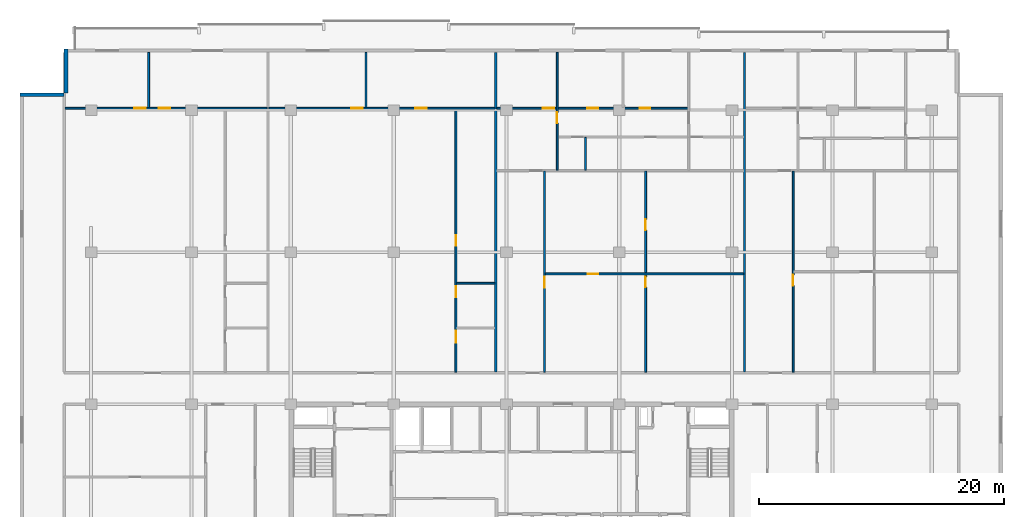
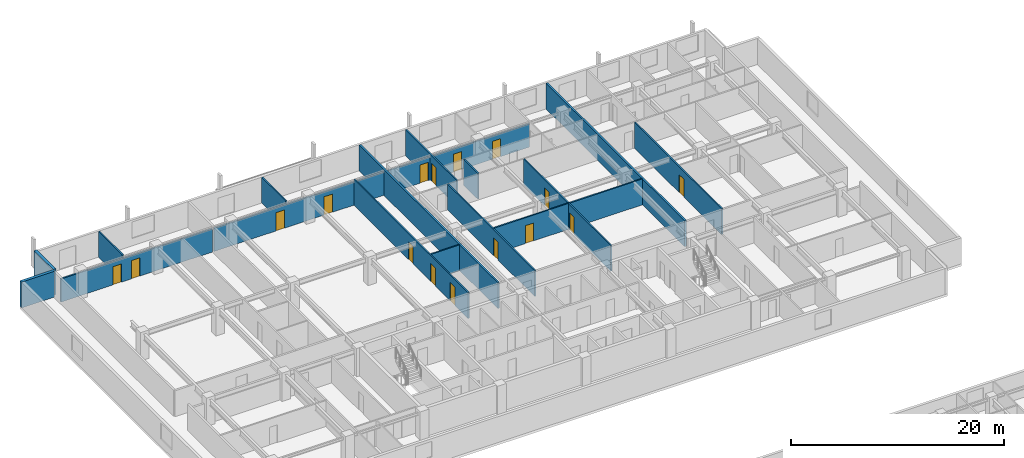
# One storey, part 14 of 22: 17 walls, 16 doors, 16 openings.
"""IFC4 building model written with IfcOpenShell, lengths in metres."""

from ifc_helpers import new_model, si_unit, direction, frame, frame_2d, origin, place, context, subcontext, project, spatial, rectangle, extrude, material, layer, layer_set, type_object, element, fill, save


model = new_model("IFC4")

# Units and contexts
model_context = context("Model", 3, precision=1e-05, world=origin(), true_north=direction((0.0, 1.0)))
body_context = subcontext(model_context, "Body", "Model", "MODEL_VIEW")
ifc_project = project(units=[si_unit("LENGTHUNIT", "METRE"), si_unit("AREAUNIT", "SQUARE_METRE"), si_unit("VOLUMEUNIT", "CUBIC_METRE"), si_unit("PLANEANGLEUNIT", "RADIAN"), si_unit("MASSUNIT", "GRAM", prefix="KILO")], contexts=[model_context])

# Site, building, storey
site_placement = place(None, origin())
site = spatial("IfcSite", under=ifc_project, at=site_placement, CompositionType="ELEMENT")
building_placement = place(site_placement, origin())
building = spatial("IfcBuilding", under=site, at=building_placement, Name="Korimba Cascade Residences", CompositionType="ELEMENT")
storey_placement = place(building_placement, frame((0.0, 0.0, 129.550048828125)))
storey = spatial("IfcBuildingStorey", under=building, at=storey_placement, Name="L37", CompositionType="ELEMENT", Elevation=129.550048828125)

# Walls
ifc_material_1 = material(Name="Precast concrete C40/50", Category="concrete")
ifc_layer_1 = layer(ifc_material_1, 0.300048828125)
ifc_layer_set_1 = layer_set([ifc_layer_1], Name="Precast concrete C40/50")
wall_type_1 = type_object("IfcWallType", Name="EW-STONE-300", PredefinedType="STANDARD", material=ifc_layer_set_1)
wall_1_placement = place(storey_placement, frame((57.75, 96.199951171875, 0.0), z_axis=(0.0, 0.0, 1.0), x_axis=(0.0, -1.0, 0.0)))
element("IfcWall", 1, at=wall_1_placement, inside=storey, type_object=wall_type_1, Name="L37 T1 Perimeter Stone Wall E07", PredefinedType="STANDARD", context=body_context, shape_type="SweptSolid", body=[
    extrude(rectangle(XDim=3.599853515625, YDim=0.300048828125, at=frame_2d((1.7998046875, 0.0))), origin(), (0.0, 0.0, 1.0), 2.969970703125),
])
wall_2_placement = place(storey_placement, frame((57.60009765625, 92.449951171875, 0.0), z_axis=(0.0, 0.0, 1.0), x_axis=(-1.0, 0.0, 0.0)))
element("IfcWall", 2, at=wall_2_placement, inside=storey, type_object=wall_type_1, Name="L37 T1 Perimeter Stone Wall E08", PredefinedType="STANDARD", context=body_context, shape_type="SweptSolid", body=[
    extrude(rectangle(XDim=3.60009765625, YDim=0.300048828125, at=frame_2d((1.800048828125, 0.0))), origin(), (0.0, 0.0, 1.0), 2.969970703125),
])
ifc_layer_2 = layer(ifc_material_1, 0.199951171875)
ifc_layer_set_2 = layer_set([ifc_layer_2], Name="Precast concrete C40/50")
wall_type_2 = type_object("IfcWallType", Name="WAL-IT-200", PredefinedType="PARTITIONING", material=ifc_layer_set_2)
for number, where, z_axis, x_axis, name in (
    (3, (92.83740234375, 69.830078125, 0.0), (0.0, 0.0, 1.0), (0.0, 1.0, 0.0), "L37 Partition Wall WAL-L37-T1-DEM-2"),
    (4, (113.125, 69.830078125, 0.0), (0.0, 0.0, 1.0), (0.0, 1.0, 0.0), "L37 Partition Wall WAL-L37-T1-DEM-3"),
):
    element("IfcWall", number, at=place(storey_placement, frame(where, z_axis=z_axis, x_axis=x_axis)), inside=storey, type_object=wall_type_2, Name=name, PredefinedType="PARTITIONING", context=body_context, shape_type="SweptSolid", body=[
        extrude(rectangle(XDim=26.06982421875, YDim=0.199951171875, at=frame_2d((13.034912109375, 0.0))), origin(), (0.0, 0.0, 1.0), 2.969970703125),
    ])
ifc_material_2 = material(Name="Insulated Acoustic Stud Partition", Category="gypsum")
ifc_layer_3 = layer(ifc_material_2, 0.14990234375)
ifc_layer_set_3 = layer_set([ifc_layer_3], Name="Insulated Acoustic Stud Partition")
wall_type_3 = type_object("IfcWallType", Name="WAL-PART-150", PredefinedType="PARTITIONING", material=ifc_layer_set_3)
wall_3_placement = place(storey_placement, frame((64.498779296875, 91.429931640625, 0.0), z_axis=(0.0, 0.0, 1.0), x_axis=(0.0, 1.0, 0.0)))
element("IfcWall", 5, at=wall_3_placement, inside=storey, type_object=wall_type_3, Name="L37 Partition Wall WAL-L37-T1-U01-OUTV", PredefinedType="PARTITIONING", context=body_context, shape_type="SweptSolid", body=[
    extrude(rectangle(XDim=4.469970703125, YDim=0.14990234375, at=frame_2d((2.23486328125, 0.0))), origin(), (0.0, 0.0, 1.0), 2.969970703125),
])

# Wall, openings, doors
wall_4_placement = place(storey_placement, frame((57.679931640625, 91.35009765625, 0.0), z_axis=(0.0, 0.0, 1.0), x_axis=(1.0, 0.0, 0.0)))
wall_4 = element("IfcWall", 6, at=wall_4_placement, inside=storey, type_object=wall_type_3, Name="L37 Partition Wall WAL-L37-T1-U01-HZ", PredefinedType="PARTITIONING", context=body_context, shape_type="SweptSolid", body=[
    extrude(rectangle(XDim=16.4775390625, YDim=0.14990234375, at=frame_2d((8.23876953125, 0.0))), origin(), (0.0, 0.0, 1.0), 2.663330078125),
])
opening_1_placement = place(wall_4_placement, frame((5.628662109375, 0.0, 0.0)))
opening_1 = element("IfcOpeningElement", 7, at=opening_1_placement, cuts=wall_4, Name="Opening D-IN0", PredefinedType="OPENING", context=body_context, shape_type="SweptSolid", body=[
    extrude(rectangle(XDim=0.93994140625, YDim=2.10009765625, at=frame_2d((0.469970703125, 1.050048828125))), frame((0.0, 0.0849609375, 0.0), z_axis=(0.0, -1.0, 0.0), x_axis=(1.0, 0.0, 0.0)), (0.0, 0.0, 1.0), 0.169921875),
])
opening_2_placement = place(wall_4_placement, frame((7.64453125, 0.0, 0.0)))
opening_2 = element("IfcOpeningElement", 8, at=opening_2_placement, cuts=wall_4, Name="Opening D-IN0", PredefinedType="OPENING", context=body_context, shape_type="SweptSolid", body=[
    extrude(rectangle(XDim=0.93994140625, YDim=2.10009765625, at=frame_2d((0.469970703125, 1.050048828125))), frame((0.0, 0.0849609375, 0.0), z_axis=(0.0, -1.0, 0.0), x_axis=(1.0, 0.0, 0.0)), (0.0, 0.0, 1.0), 0.169921875),
])
ifc_material_3 = material(Name="Acoustic Timber Living Archway Door", Category="wood")
door_type_1 = type_object("IfcDoorType", Name="DR-INT-950", OperationType="NOTDEFINED", PredefinedType="DOOR", material=ifc_material_3)
door_1_placement = place(opening_1_placement, origin())
door_1 = element("IfcDoor", 9, at=door_1_placement, inside=storey, type_object=door_type_1, Name="L37-T1-U01 Executive Co-Working Office Door", OperationType="SINGLE_SWING_LEFT", OverallHeight=2.10009765625, OverallWidth=0.93994140625, PredefinedType="DOOR", context=body_context, shape_type="SweptSolid", body=[
    extrude(rectangle(XDim=0.93994140625, YDim=2.10009765625, at=frame_2d((0.469970703125, 1.050048828125))), frame((0.0, 0.02490234375, 0.0), z_axis=(0.0, -1.0, 0.0), x_axis=(1.0, 0.0, 0.0)), (0.0, 0.0, 1.0), 0.050048828125),
])
fill(opening_1, door_1)
door_2_placement = place(opening_2_placement, origin())
door_2 = element("IfcDoor", 10, at=door_2_placement, inside=storey, type_object=door_type_1, Name="L37-T1-U01 Focus Workstation Office Door", OperationType="SINGLE_SWING_RIGHT", OverallHeight=2.10009765625, OverallWidth=0.93994140625, PredefinedType="DOOR", context=body_context, shape_type="SweptSolid", body=[
    extrude(rectangle(XDim=0.93994140625, YDim=2.10009765625, at=frame_2d((0.469970703125, 1.050048828125))), frame((0.0, 0.02490234375, 0.0), z_axis=(0.0, -1.0, 0.0), x_axis=(1.0, 0.0, 0.0)), (0.0, 0.0, 1.0), 0.050048828125),
])
fill(opening_2, door_2)

# Wall
wall_5_placement = place(storey_placement, frame((89.62744140625, 77.070068359375, 0.0), z_axis=(0.0, 0.0, 1.0), x_axis=(1.0, 0.0, 0.0)))
element("IfcWall", 11, at=wall_5_placement, inside=storey, type_object=wall_type_3, Name="L37 Partition Wall WAL-L37-T1-U02-WCH2", PredefinedType="PARTITIONING", context=body_context, shape_type="SweptSolid", body=[
    extrude(rectangle(XDim=3.130126953125, YDim=0.14990234375, at=frame_2d((1.56494140625, 0.0))), origin(), (0.0, 0.0, 1.0), 2.969970703125),
])

# Wall, openings, doors
wall_6_placement = place(storey_placement, frame((89.5673828125, 69.81005859375, 0.0), z_axis=(0.0, 0.0, 1.0), x_axis=(0.0, 1.0, 0.0)))
wall_6 = element("IfcWall", 12, at=wall_6_placement, inside=storey, type_object=wall_type_3, Name="L37 Partition Wall WAL-L37-T1-U02-WCV", PredefinedType="PARTITIONING", context=body_context, shape_type="SweptSolid", body=[
    extrude(rectangle(XDim=21.47998046875, YDim=0.14990234375, at=frame_2d((10.739990234375, 0.0))), origin(), (0.0, 0.0, 1.0), 2.969970703125),
])
opening_3_placement = place(wall_6_placement, frame((2.406005859375, 0.0, 0.0)))
opening_3 = element("IfcOpeningElement", 13, at=opening_3_placement, cuts=wall_6, Name="Opening D-AC1", PredefinedType="OPENING", context=body_context, shape_type="SweptSolid", body=[
    extrude(rectangle(XDim=0.9599609375, YDim=2.10009765625, at=frame_2d((0.47998046875, 1.050048828125))), frame((0.0, 0.0849609375, 0.0), z_axis=(0.0, -1.0, 0.0), x_axis=(1.0, 0.0, 0.0)), (0.0, 0.0, 1.0), 0.169921875),
])
opening_4_placement = place(wall_6_placement, frame((6.132568359375, 0.0, 0.0)))
opening_4 = element("IfcOpeningElement", 14, at=opening_4_placement, cuts=wall_6, Name="Opening D-IN2", PredefinedType="OPENING", context=body_context, shape_type="SweptSolid", body=[
    extrude(rectangle(XDim=0.8798828125, YDim=2.06005859375, at=frame_2d((0.43994140625, 1.030029296875))), frame((0.0, 0.0849609375, 0.0), z_axis=(0.0, -1.0, 0.0), x_axis=(1.0, 0.0, 0.0)), (0.0, 0.0, 1.0), 0.169921875),
])
opening_5_placement = place(wall_6_placement, frame((10.320068359375, 0.0, 0.0)))
opening_5 = element("IfcOpeningElement", 15, at=opening_5_placement, cuts=wall_6, Name="Opening D-BT1", PredefinedType="OPENING", context=body_context, shape_type="SweptSolid", body=[
    extrude(rectangle(XDim=0.840087890625, YDim=2.0400390625, at=frame_2d((0.419921875, 1.02001953125))), frame((0.0, 0.0849609375, 0.0), z_axis=(0.0, -1.0, 0.0), x_axis=(1.0, 0.0, 0.0)), (0.0, 0.0, 1.0), 0.169921875),
])
ifc_material_4 = material(Name="Accessible Acoustic Timber WC Door", Category="wood")
door_type_2 = type_object("IfcDoorType", Name="DR-ACC-950", OperationType="NOTDEFINED", PredefinedType="DOOR", material=ifc_material_4)
door_3_placement = place(opening_3_placement, origin())
door_3 = element("IfcDoor", 16, at=door_3_placement, inside=storey, type_object=door_type_2, Name="L37-T1-U02 Accessible WC Door", OperationType="SINGLE_SWING_LEFT", OverallHeight=2.10009765625, OverallWidth=0.9599609375, PredefinedType="DOOR", context=body_context, shape_type="SweptSolid", body=[
    extrude(rectangle(XDim=0.9599609375, YDim=2.10009765625, at=frame_2d((0.47998046875, 1.050048828125))), frame((0.0, 0.02490234375, 0.0), z_axis=(0.0, -1.0, 0.0), x_axis=(1.0, 0.0, 0.0)), (0.0, 0.0, 1.0), 0.050048828125),
])
fill(opening_3, door_3)
ifc_material_5 = material(Name="Moisture-Resistant Bathroom Timber Door", Category="wood")
door_type_3 = type_object("IfcDoorType", Name="DR-INT-850", OperationType="NOTDEFINED", PredefinedType="DOOR", material=ifc_material_5)
door_4_placement = place(opening_5_placement, origin())
door_4 = element("IfcDoor", 17, at=door_4_placement, inside=storey, type_object=door_type_3, Name="L37-T1-U02 Suite Store Door", OperationType="SINGLE_SWING_LEFT", OverallHeight=2.0400390625, OverallWidth=0.840087890625, PredefinedType="DOOR", context=body_context, shape_type="SweptSolid", body=[
    extrude(rectangle(XDim=0.840087890625, YDim=2.0400390625, at=frame_2d((0.419921875, 1.02001953125))), frame((0.0, 0.02490234375, 0.0), z_axis=(0.0, -1.0, 0.0), x_axis=(1.0, 0.0, 0.0)), (0.0, 0.0, 1.0), 0.050048828125),
])
fill(opening_5, door_4)
ifc_material_6 = material(Name="Acoustic Timber Bedroom Door", Category="wood")
door_type_4 = type_object("IfcDoorType", Name="DR-INT-880", OperationType="NOTDEFINED", PredefinedType="DOOR", material=ifc_material_6)
door_5_placement = place(opening_4_placement, origin())
door_5 = element("IfcDoor", 18, at=door_5_placement, inside=storey, type_object=door_type_4, Name="L37-T1-U02 Restroom WC Door", OperationType="SINGLE_SWING_RIGHT", OverallHeight=2.06005859375, OverallWidth=0.8798828125, PredefinedType="DOOR", context=body_context, shape_type="SweptSolid", body=[
    extrude(rectangle(XDim=0.8798828125, YDim=2.06005859375, at=frame_2d((0.43994140625, 1.030029296875))), frame((0.0, 0.02490234375, 0.0), z_axis=(0.0, -1.0, 0.0), x_axis=(1.0, 0.0, 0.0)), (0.0, 0.0, 1.0), 0.050048828125),
])
fill(opening_4, door_5)

# Wall
wall_7_placement = place(storey_placement, frame((82.232421875, 91.429931640625, 0.0), z_axis=(0.0, 0.0, 1.0), x_axis=(0.0, 1.0, 0.0)))
element("IfcWall", 19, at=wall_7_placement, inside=storey, type_object=wall_type_3, Name="L37 Partition Wall WAL-L37-T1-U02-OUTV", PredefinedType="PARTITIONING", context=body_context, shape_type="SweptSolid", body=[
    extrude(rectangle(XDim=4.469970703125, YDim=0.14990234375, at=frame_2d((2.23486328125, 0.0))), origin(), (0.0, 0.0, 1.0), 2.969970703125),
])

# Wall, openings, doors
wall_8_placement = place(storey_placement, frame((74.3173828125, 91.35009765625, 0.0), z_axis=(0.0, 0.0, 1.0), x_axis=(1.0, 0.0, 0.0)))
wall_8 = element("IfcWall", 20, at=wall_8_placement, inside=storey, type_object=wall_type_3, Name="L37 Partition Wall WAL-L37-T1-U02-HZ", PredefinedType="PARTITIONING", context=body_context, shape_type="SweptSolid", body=[
    extrude(rectangle(XDim=18.440185546875, YDim=0.14990234375, at=frame_2d((9.22021484375, 0.0))), origin(), (0.0, 0.0, 1.0), 2.663330078125),
])
opening_6_placement = place(wall_8_placement, frame((6.72509765625, 0.0, 0.0)))
opening_6 = element("IfcOpeningElement", 21, at=opening_6_placement, cuts=wall_8, Name="Opening D-IN0", PredefinedType="OPENING", context=body_context, shape_type="SweptSolid", body=[
    extrude(rectangle(XDim=0.93994140625, YDim=2.10009765625, at=frame_2d((0.469970703125, 1.050048828125))), frame((0.0, 0.0849609375, 0.0), z_axis=(0.0, -1.0, 0.0), x_axis=(1.0, 0.0, 0.0)), (0.0, 0.0, 1.0), 0.169921875),
])
opening_7_placement = place(wall_8_placement, frame((11.937744140625, 0.0, 0.0)))
opening_7 = element("IfcOpeningElement", 22, at=opening_7_placement, cuts=wall_8, Name="Opening D-IN0", PredefinedType="OPENING", context=body_context, shape_type="SweptSolid", body=[
    extrude(rectangle(XDim=0.93994140625, YDim=2.10009765625, at=frame_2d((0.469970703125, 1.050048828125))), frame((0.0, 0.0849609375, 0.0), z_axis=(0.0, -1.0, 0.0), x_axis=(1.0, 0.0, 0.0)), (0.0, 0.0, 1.0), 0.169921875),
])
door_6_placement = place(opening_6_placement, origin())
door_6 = element("IfcDoor", 23, at=door_6_placement, inside=storey, type_object=door_type_1, Name="L37-T1-U02 Resident Boardroom Door", OperationType="SINGLE_SWING_RIGHT", OverallHeight=2.10009765625, OverallWidth=0.93994140625, PredefinedType="DOOR", context=body_context, shape_type="SweptSolid", body=[
    extrude(rectangle(XDim=0.93994140625, YDim=2.10009765625, at=frame_2d((0.469970703125, 1.050048828125))), frame((0.0, 0.02490234375, 0.0), z_axis=(0.0, -1.0, 0.0), x_axis=(1.0, 0.0, 0.0)), (0.0, 0.0, 1.0), 0.050048828125),
])
fill(opening_6, door_6)
door_7_placement = place(opening_7_placement, origin())
door_7 = element("IfcDoor", 24, at=door_7_placement, inside=storey, type_object=door_type_1, Name="L37-T1-U02 Executive Seminar Room Door", OperationType="SINGLE_SWING_LEFT", OverallHeight=2.10009765625, OverallWidth=0.93994140625, PredefinedType="DOOR", context=body_context, shape_type="SweptSolid", body=[
    extrude(rectangle(XDim=0.93994140625, YDim=2.10009765625, at=frame_2d((0.469970703125, 1.050048828125))), frame((0.0, 0.02490234375, 0.0), z_axis=(0.0, -1.0, 0.0), x_axis=(1.0, 0.0, 0.0)), (0.0, 0.0, 1.0), 0.050048828125),
])
fill(opening_7, door_7)

wall_9_placement = place(storey_placement, frame((105.05615234375, 69.81005859375, 0.0), z_axis=(0.0, 0.0, 1.0), x_axis=(0.0, 1.0, 0.0)))
wall_9 = element("IfcWall", 25, at=wall_9_placement, inside=storey, type_object=wall_type_3, Name="L37 Partition Wall WAL-L37-T1-U03-FMV", PredefinedType="PARTITIONING", context=body_context, shape_type="SweptSolid", body=[
    extrude(rectangle(XDim=16.39990234375, YDim=0.14990234375, at=frame_2d((8.199951171875, 0.0))), origin(), (0.0, 0.0, 1.0), 2.969970703125),
])
opening_8_placement = place(wall_9_placement, frame((6.929931640625, 0.0, 0.0)))
opening_8 = element("IfcOpeningElement", 26, at=opening_8_placement, cuts=wall_9, Name="Opening D-BT1", PredefinedType="OPENING", context=body_context, shape_type="SweptSolid", body=[
    extrude(rectangle(XDim=0.840087890625, YDim=2.0400390625, at=frame_2d((0.419921875, 1.02001953125))), frame((0.0, 0.0849609375, 0.0), z_axis=(0.0, -1.0, 0.0), x_axis=(1.0, 0.0, 0.0)), (0.0, 0.0, 1.0), 0.169921875),
])
opening_9_placement = place(wall_9_placement, frame((11.58203125, 0.0, 0.0)))
opening_9 = element("IfcOpeningElement", 27, at=opening_9_placement, cuts=wall_9, Name="Opening D-IN2", PredefinedType="OPENING", context=body_context, shape_type="SweptSolid", body=[
    extrude(rectangle(XDim=0.8798828125, YDim=2.06005859375, at=frame_2d((0.43994140625, 1.030029296875))), frame((0.0, 0.0849609375, 0.0), z_axis=(0.0, -1.0, 0.0), x_axis=(1.0, 0.0, 0.0)), (0.0, 0.0, 1.0), 0.169921875),
])
door_8_placement = place(opening_8_placement, origin())
door_8 = element("IfcDoor", 28, at=door_8_placement, inside=storey, type_object=door_type_3, Name="L37-T1-U03 Wardrobe Door", OperationType="SINGLE_SWING_RIGHT", OverallHeight=2.0400390625, OverallWidth=0.840087890625, PredefinedType="DOOR", context=body_context, shape_type="SweptSolid", body=[
    extrude(rectangle(XDim=0.840087890625, YDim=2.0400390625, at=frame_2d((0.419921875, 1.02001953125))), frame((0.0, 0.02490234375, 0.0), z_axis=(0.0, -1.0, 0.0), x_axis=(1.0, 0.0, 0.0)), (0.0, 0.0, 1.0), 0.050048828125),
])
fill(opening_8, door_8)
door_9_placement = place(opening_9_placement, origin())
door_9 = element("IfcDoor", 29, at=door_9_placement, inside=storey, type_object=door_type_4, Name="L37-T1-U03 Music Lounge Door", OperationType="SINGLE_SWING_LEFT", OverallHeight=2.06005859375, OverallWidth=0.8798828125, PredefinedType="DOOR", context=body_context, shape_type="SweptSolid", body=[
    extrude(rectangle(XDim=0.8798828125, YDim=2.06005859375, at=frame_2d((0.43994140625, 1.030029296875))), frame((0.0, 0.02490234375, 0.0), z_axis=(0.0, -1.0, 0.0), x_axis=(1.0, 0.0, 0.0)), (0.0, 0.0, 1.0), 0.050048828125),
])
fill(opening_9, door_9)

# Wall, opening, door
wall_10_placement = place(storey_placement, frame((96.867431640625, 77.830078125, 0.0), z_axis=(0.0, 0.0, 1.0), x_axis=(1.0, 0.0, 0.0)))
wall_10 = element("IfcWall", 30, at=wall_10_placement, inside=storey, type_object=wall_type_3, Name="L37 Partition Wall WAL-L37-T1-U03-FMH", PredefinedType="PARTITIONING", context=body_context, shape_type="SweptSolid", body=[
    extrude(rectangle(XDim=16.177490234375, YDim=0.14990234375, at=frame_2d((8.0888671875, 0.0))), origin(), (0.0, 0.0, 1.0), 2.969970703125),
])
opening_10_placement = place(wall_10_placement, frame((3.44970703125, 0.0, 0.0)))
opening_10 = element("IfcOpeningElement", 31, at=opening_10_placement, cuts=wall_10, Name="Opening D-IN2", PredefinedType="OPENING", context=body_context, shape_type="SweptSolid", body=[
    extrude(rectangle(XDim=0.8798828125, YDim=2.06005859375, at=frame_2d((0.43994140625, 1.030029296875))), frame((0.0, 0.0849609375, 0.0), z_axis=(0.0, -1.0, 0.0), x_axis=(1.0, 0.0, 0.0)), (0.0, 0.0, 1.0), 0.169921875),
])
door_10_placement = place(opening_10_placement, origin())
door_10 = element("IfcDoor", 32, at=door_10_placement, inside=storey, type_object=door_type_4, Name="L37-T1-U03 Library Salon Door", OperationType="SINGLE_SWING_RIGHT", OverallHeight=2.06005859375, OverallWidth=0.8798828125, PredefinedType="DOOR", context=body_context, shape_type="SweptSolid", body=[
    extrude(rectangle(XDim=0.8798828125, YDim=2.06005859375, at=frame_2d((0.43994140625, 1.030029296875))), frame((0.0, 0.02490234375, 0.0), z_axis=(0.0, -1.0, 0.0), x_axis=(1.0, 0.0, 0.0)), (0.0, 0.0, 1.0), 0.050048828125),
])
fill(opening_10, door_10)

wall_11_placement = place(storey_placement, frame((96.8076171875, 69.81005859375, 0.0), z_axis=(0.0, 0.0, 1.0), x_axis=(0.0, 1.0, 0.0)))
wall_11 = element("IfcWall", 33, at=wall_11_placement, inside=storey, type_object=wall_type_3, Name="L37 Partition Wall WAL-L37-T1-U03-FV", PredefinedType="PARTITIONING", context=body_context, shape_type="SweptSolid", body=[
    extrude(rectangle(XDim=16.39990234375, YDim=0.14990234375, at=frame_2d((8.199951171875, 0.0))), origin(), (0.0, 0.0, 1.0), 2.969970703125),
])
opening_11_placement = place(wall_11_placement, frame((6.889892578125, 0.0, 0.0)))
opening_11 = element("IfcOpeningElement", 34, at=opening_11_placement, cuts=wall_11, Name="Opening D-IN2", PredefinedType="OPENING", context=body_context, shape_type="SweptSolid", body=[
    extrude(rectangle(XDim=0.8798828125, YDim=2.06005859375, at=frame_2d((0.43994140625, 1.030029296875))), frame((0.0, 0.0849609375, 0.0), z_axis=(0.0, -1.0, 0.0), x_axis=(1.0, 0.0, 0.0)), (0.0, 0.0, 1.0), 0.169921875),
])
door_11_placement = place(opening_11_placement, origin())
door_11 = element("IfcDoor", 35, at=door_11_placement, inside=storey, type_object=door_type_4, Name="L37-T1-U03 Media Lounge Door", OperationType="SINGLE_SWING_LEFT", OverallHeight=2.06005859375, OverallWidth=0.8798828125, PredefinedType="DOOR", context=body_context, shape_type="SweptSolid", body=[
    extrude(rectangle(XDim=0.8798828125, YDim=2.06005859375, at=frame_2d((0.43994140625, 1.030029296875))), frame((0.0, 0.02490234375, 0.0), z_axis=(0.0, -1.0, 0.0), x_axis=(1.0, 0.0, 0.0)), (0.0, 0.0, 1.0), 0.050048828125),
])
fill(opening_11, door_11)

# Wall
wall_12_placement = place(storey_placement, frame((100.1474609375, 86.2900390625, 0.0), z_axis=(0.0, 0.0, 1.0), x_axis=(0.0, 1.0, 0.0)))
element("IfcWall", 36, at=wall_12_placement, inside=storey, type_object=wall_type_3, Name="L37 Partition Wall WAL-L37-T1-U03-VDRS", PredefinedType="PARTITIONING", context=body_context, shape_type="SweptSolid", body=[
    extrude(rectangle(XDim=2.68994140625, YDim=0.14990234375, at=frame_2d((1.344970703125, 0.0))), origin(), (0.0, 0.0, 1.0), 2.969970703125),
])

# Wall, opening, door
wall_13_placement = place(storey_placement, frame((97.83740234375, 86.2900390625, 0.0), z_axis=(0.0, 0.0, 1.0), x_axis=(0.0, 1.0, 0.0)))
wall_13 = element("IfcWall", 37, at=wall_13_placement, inside=storey, type_object=wall_type_3, Name="L37 Partition Wall WAL-L37-T1-U03-V1", PredefinedType="PARTITIONING", context=body_context, shape_type="SweptSolid", body=[
    extrude(rectangle(XDim=9.60986328125, YDim=0.14990234375, at=frame_2d((4.804931640625, 0.0))), origin(), (0.0, 0.0, 1.0), 2.969970703125),
])
opening_12_placement = place(wall_13_placement, frame((3.820068359375, 0.0, 0.0)))
opening_12 = element("IfcOpeningElement", 38, at=opening_12_placement, cuts=wall_13, Name="Opening D-IN1", PredefinedType="OPENING", context=body_context, shape_type="SweptSolid", body=[
    extrude(rectangle(XDim=0.919921875, YDim=2.080078125, at=frame_2d((0.4599609375, 1.0400390625))), frame((0.0, 0.0849609375, 0.0), z_axis=(0.0, -1.0, 0.0), x_axis=(1.0, 0.0, 0.0)), (0.0, 0.0, 1.0), 0.169921875),
])
ifc_material_7 = material(Name="Acoustic Timber Living Door", Category="wood")
door_type_5 = type_object("IfcDoorType", Name="DR-INT-920", OperationType="NOTDEFINED", PredefinedType="DOOR", material=ifc_material_7)
door_12_placement = place(opening_12_placement, origin())
door_12 = element("IfcDoor", 39, at=door_12_placement, inside=storey, type_object=door_type_5, Name="L37-T1-U03 Hallway Door", OperationType="SINGLE_SWING_RIGHT", OverallHeight=2.080078125, OverallWidth=0.919921875, PredefinedType="DOOR", context=body_context, shape_type="SweptSolid", body=[
    extrude(rectangle(XDim=0.919921875, YDim=2.080078125, at=frame_2d((0.4599609375, 1.0400390625))), frame((0.0, 0.02490234375, 0.0), z_axis=(0.0, -1.0, 0.0), x_axis=(1.0, 0.0, 0.0)), (0.0, 0.0, 1.0), 0.050048828125),
])
fill(opening_12, door_12)

# Wall, openings, doors
wall_14_placement = place(storey_placement, frame((92.91748046875, 91.35009765625, 0.0), z_axis=(0.0, 0.0, 1.0), x_axis=(1.0, 0.0, 0.0)))
wall_14 = element("IfcWall", 40, at=wall_14_placement, inside=storey, type_object=wall_type_3, Name="L37 Partition Wall WAL-L37-T1-U03-HZ", PredefinedType="PARTITIONING", context=body_context, shape_type="SweptSolid", body=[
    extrude(rectangle(XDim=15.657470703125, YDim=0.14990234375, at=frame_2d((7.82861328125, 0.0))), origin(), (0.0, 0.0, 1.0), 2.663330078125),
])
opening_13_placement = place(wall_14_placement, frame((3.72998046875, 0.0, 0.0)))
opening_13 = element("IfcOpeningElement", 41, at=opening_13_placement, cuts=wall_14, Name="Opening D-IN0", PredefinedType="OPENING", context=body_context, shape_type="SweptSolid", body=[
    extrude(rectangle(XDim=0.93994140625, YDim=2.10009765625, at=frame_2d((0.469970703125, 1.050048828125))), frame((0.0, 0.0849609375, 0.0), z_axis=(0.0, -1.0, 0.0), x_axis=(1.0, 0.0, 0.0)), (0.0, 0.0, 1.0), 0.169921875),
])
opening_14_placement = place(wall_14_placement, frame((7.388671875, 0.0, 0.0)))
opening_14 = element("IfcOpeningElement", 42, at=opening_14_placement, cuts=wall_14, Name="Opening D-IN2", PredefinedType="OPENING", context=body_context, shape_type="SweptSolid", body=[
    extrude(rectangle(XDim=0.8798828125, YDim=2.06005859375, at=frame_2d((0.43994140625, 1.030029296875))), frame((0.0, 0.0849609375, 0.0), z_axis=(0.0, -1.0, 0.0), x_axis=(1.0, 0.0, 0.0)), (0.0, 0.0, 1.0), 0.169921875),
])
opening_15_placement = place(wall_14_placement, frame((11.642333984375, 0.0, 0.0)))
opening_15 = element("IfcOpeningElement", 43, at=opening_15_placement, cuts=wall_14, Name="Opening D-IN2", PredefinedType="OPENING", context=body_context, shape_type="SweptSolid", body=[
    extrude(rectangle(XDim=0.8798828125, YDim=2.06005859375, at=frame_2d((0.43994140625, 1.030029296875))), frame((0.0, 0.0849609375, 0.0), z_axis=(0.0, -1.0, 0.0), x_axis=(1.0, 0.0, 0.0)), (0.0, 0.0, 1.0), 0.169921875),
])
door_13_placement = place(opening_14_placement, origin())
door_13 = element("IfcDoor", 44, at=door_13_placement, inside=storey, type_object=door_type_4, Name="L37-T1-U03 Bedroom 2 Door", OperationType="SINGLE_SWING_LEFT", OverallHeight=2.06005859375, OverallWidth=0.8798828125, PredefinedType="DOOR", context=body_context, shape_type="SweptSolid", body=[
    extrude(rectangle(XDim=0.8798828125, YDim=2.06005859375, at=frame_2d((0.43994140625, 1.030029296875))), frame((0.0, 0.02490234375, 0.0), z_axis=(0.0, -1.0, 0.0), x_axis=(1.0, 0.0, 0.0)), (0.0, 0.0, 1.0), 0.050048828125),
])
fill(opening_14, door_13)
door_14_placement = place(opening_15_placement, origin())
door_14 = element("IfcDoor", 45, at=door_14_placement, inside=storey, type_object=door_type_4, Name="L37-T1-U03 Bedroom 3 Door", OperationType="SINGLE_SWING_RIGHT", OverallHeight=2.06005859375, OverallWidth=0.8798828125, PredefinedType="DOOR", context=body_context, shape_type="SweptSolid", body=[
    extrude(rectangle(XDim=0.8798828125, YDim=2.06005859375, at=frame_2d((0.43994140625, 1.030029296875))), frame((0.0, 0.02490234375, 0.0), z_axis=(0.0, -1.0, 0.0), x_axis=(1.0, 0.0, 0.0)), (0.0, 0.0, 1.0), 0.050048828125),
])
fill(opening_15, door_14)
door_15_placement = place(opening_13_placement, origin())
door_15 = element("IfcDoor", 46, at=door_15_placement, inside=storey, type_object=door_type_1, Name="L37-T1-U03 Living Room Door", OperationType="SINGLE_SWING_RIGHT", OverallHeight=2.10009765625, OverallWidth=0.93994140625, PredefinedType="DOOR", context=body_context, shape_type="SweptSolid", body=[
    extrude(rectangle(XDim=0.93994140625, YDim=2.10009765625, at=frame_2d((0.469970703125, 1.050048828125))), frame((0.0, 0.02490234375, 0.0), z_axis=(0.0, -1.0, 0.0), x_axis=(1.0, 0.0, 0.0)), (0.0, 0.0, 1.0), 0.050048828125),
])
fill(opening_13, door_15)

# Wall, opening, door
wall_15_placement = place(storey_placement, frame((117.094970703125, 69.81005859375, 0.0), z_axis=(0.0, 0.0, 1.0), x_axis=(0.0, 1.0, 0.0)))
wall_15 = element("IfcWall", 47, at=wall_15_placement, inside=storey, type_object=wall_type_3, Name="L37 Partition Wall WAL-L37-T1-U04-FV", PredefinedType="PARTITIONING", context=body_context, shape_type="SweptSolid", body=[
    extrude(rectangle(XDim=16.39990234375, YDim=0.14990234375, at=frame_2d((8.199951171875, 0.0))), origin(), (0.0, 0.0, 1.0), 2.969970703125),
])
opening_16_placement = place(wall_15_placement, frame((7.070068359375, 0.0, 0.0)))
opening_16 = element("IfcOpeningElement", 48, at=opening_16_placement, cuts=wall_15, Name="Opening D-IN2", PredefinedType="OPENING", context=body_context, shape_type="SweptSolid", body=[
    extrude(rectangle(XDim=0.8798828125, YDim=2.06005859375, at=frame_2d((0.43994140625, 1.030029296875))), frame((0.0, 0.0849609375, 0.0), z_axis=(0.0, -1.0, 0.0), x_axis=(1.0, 0.0, 0.0)), (0.0, 0.0, 1.0), 0.169921875),
])
door_16_placement = place(opening_16_placement, origin())
door_16 = element("IfcDoor", 49, at=door_16_placement, inside=storey, type_object=door_type_4, Name="L37-T1-U04 Media Lounge Door", OperationType="SINGLE_SWING_RIGHT", OverallHeight=2.06005859375, OverallWidth=0.8798828125, PredefinedType="DOOR", context=body_context, shape_type="SweptSolid", body=[
    extrude(rectangle(XDim=0.8798828125, YDim=2.06005859375, at=frame_2d((0.43994140625, 1.030029296875))), frame((0.0, 0.02490234375, 0.0), z_axis=(0.0, -1.0, 0.0), x_axis=(1.0, 0.0, 0.0)), (0.0, 0.0, 1.0), 0.050048828125),
])
fill(opening_16, door_16)

save(model, "model.ifc")
